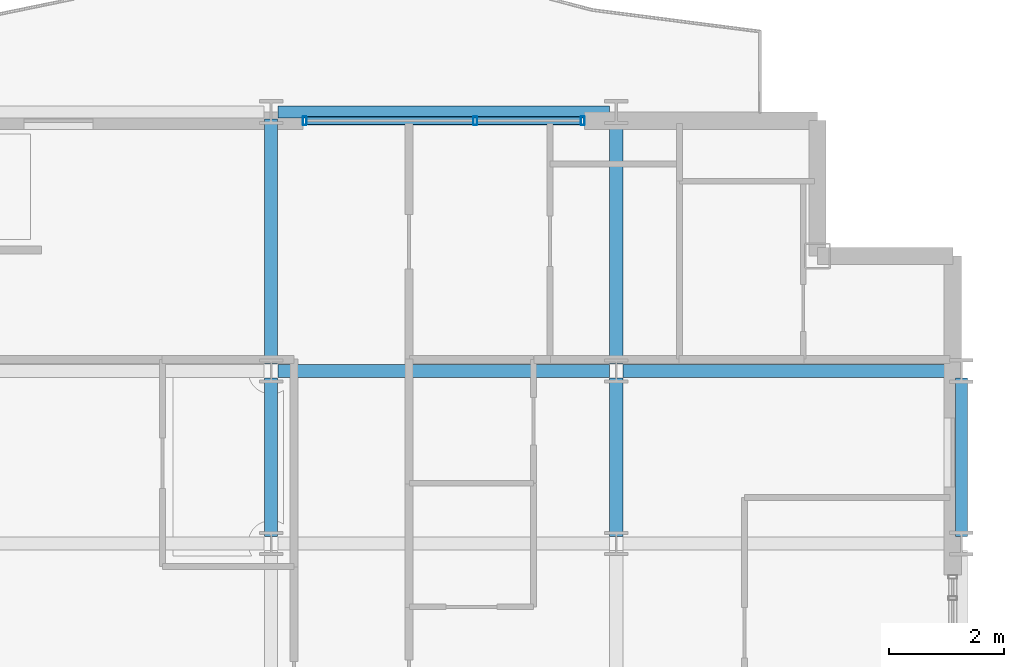
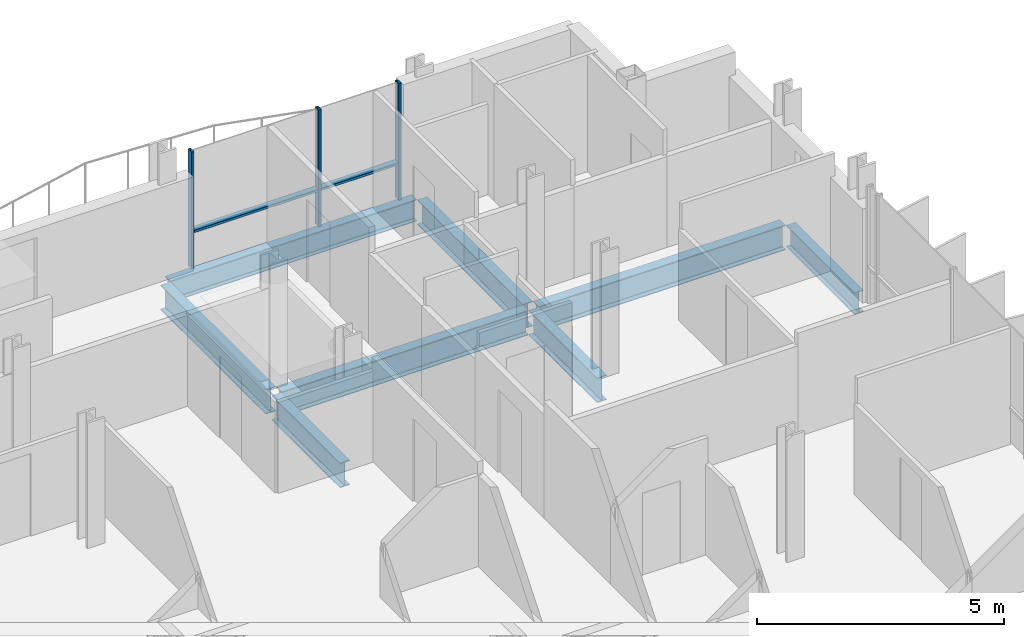
# One storey, part 20 of 39: 8 beams, 5 members, 1 element without a shape of its own.
"""IFC4 building model written with IfcOpenShell, lengths in metres."""

from ifc_helpers import new_model, si_unit, direction, frame, origin, origin_2d, place, context, subcontext, project, spatial, hollow_rectangle, i_section, extrude, material, layer, layer_set, material_profile, profile_set, type_object, element, aggregate, save


model = new_model("IFC4")

# Units and contexts
model_context = context("Model", 3, precision=1e-05, world=origin(), true_north=direction((0.0, 1.0)))
body_context = subcontext(model_context, "Body", "Model", "MODEL_VIEW")
ifc_project = project(units=[si_unit("LENGTHUNIT", "METRE"), si_unit("AREAUNIT", "SQUARE_METRE"), si_unit("VOLUMEUNIT", "CUBIC_METRE"), si_unit("PLANEANGLEUNIT", "RADIAN"), si_unit("MASSUNIT", "GRAM", prefix="KILO")], contexts=[model_context])

# Site, building, storey
site_placement = place(None, origin())
site = spatial("IfcSite", under=ifc_project, at=site_placement, CompositionType="ELEMENT")
building_placement = place(site_placement, origin())
building = spatial("IfcBuilding", under=site, at=building_placement, Name="Brevholm Reach", CompositionType="ELEMENT")
storey_placement = place(building_placement, frame((0.0, 0.0, 109.699951171875)))
storey = spatial("IfcBuildingStorey", under=building, at=storey_placement, Name="L32", CompositionType="ELEMENT", Elevation=109.699951171875)

# Beams
ifc_material_1 = material(Name="Structural Steel S355J2", Category="steel")
ifc_material_profile_1 = material_profile(ifc_material_1, i_section(OverallWidth=0.209228515625, OverallDepth=0.533203125, WebThickness=0.010009765625, FlangeThickness=0.015625, FilletRadius=0.0126953125, at=origin_2d()), Name="UKB 533x210x92")
ifc_profile_set_1 = profile_set([ifc_material_profile_1], Name="Structural Steel S355J2")
beam_type_1 = type_object("IfcBeamType", Name="BM-SP533", PredefinedType="SPANDREL", material=ifc_profile_set_1)
beam_1_placement = place(storey_placement, frame((48.1201171875, 31.0, -0.486572265625), z_axis=(1.0, 0.0, 0.0), x_axis=(0.0, 1.0, 0.0)))
element("IfcBeam", 1, at=beam_1_placement, inside=storey, type_object=beam_type_1, Name="L32 SP-02 Framing Beam", PredefinedType="SPANDREL", context=body_context, shape_type="SweptSolid", body=[
    extrude(i_section(OverallWidth=0.209228515625, OverallDepth=0.533203125, WebThickness=0.010009765625, FlangeThickness=0.015625, FilletRadius=0.0126953125, at=origin_2d()), origin(), (0.0, 0.0, 1.0), 5.759765625),
])
beam_2_placement = place(storey_placement, frame((60.0, 23.6201171875, -0.486572265625), z_axis=(0.0, 1.0, 0.0), x_axis=(-1.0, 0.0, 0.0)))
element("IfcBeam", 2, at=beam_2_placement, inside=storey, type_object=beam_type_1, Name="L32 SP-02 Framing Beam", PredefinedType="SPANDREL", context=body_context, shape_type="SweptSolid", body=[
    extrude(i_section(OverallWidth=0.209228515625, OverallDepth=0.533203125, WebThickness=0.010009765625, FlangeThickness=0.015625, FilletRadius=0.0126953125, at=origin_2d()), origin(), (0.0, 0.0, 1.0), 2.759765625),
])
ifc_material_2 = material(Name="Structural Steel S355J2", Category="steel")
ifc_material_profile_2 = material_profile(ifc_material_2, i_section(OverallWidth=0.22900390625, OverallDepth=0.6123046875, WebThickness=0.011962890625, FlangeThickness=0.01953125, FilletRadius=0.0126953125, at=origin_2d()), Name="UKB 610x229x125")
ifc_profile_set_2 = profile_set([ifc_material_profile_2], Name="Structural Steel S355J2")
beam_type_2 = type_object("IfcBeamType", Name="BM-SP610", PredefinedType="SPANDREL", material=ifc_profile_set_2)
for number, where, z_axis, x_axis, name in (
    (3, (48.1201171875, 26.5, -0.526123046875), (1.0, 0.0, 0.0), (0.0, 1.0, 0.0), "L32 SP-01 Framing Beam"),
    (4, (54.1201171875, 26.5, -0.526123046875), (1.0, 0.0, 0.0), (0.0, 1.0, 0.0), "L32 SP-01 Framing Beam"),
):
    element("IfcBeam", number, at=place(storey_placement, frame(where, z_axis=z_axis, x_axis=x_axis)), inside=storey, type_object=beam_type_2, Name=name, PredefinedType="SPANDREL", context=body_context, shape_type="SweptSolid", body=[
        extrude(i_section(OverallWidth=0.22900390625, OverallDepth=0.6123046875, WebThickness=0.011962890625, FlangeThickness=0.01953125, FilletRadius=0.0126953125, at=origin_2d()), origin(), (0.0, 0.0, 1.0), 5.759765625),
    ])
beam_3_placement = place(storey_placement, frame((48.0, 23.6201171875, -0.526123046875), z_axis=(0.0, 1.0, 0.0), x_axis=(-1.0, 0.0, 0.0)))
element("IfcBeam", 5, at=beam_3_placement, inside=storey, type_object=beam_type_2, Name="L32 SP-01 Framing Beam", PredefinedType="SPANDREL", context=body_context, shape_type="SweptSolid", body=[
    extrude(i_section(OverallWidth=0.22900390625, OverallDepth=0.6123046875, WebThickness=0.011962890625, FlangeThickness=0.01953125, FilletRadius=0.0126953125, at=origin_2d()), origin(), (0.0, 0.0, 1.0), 2.759765625),
])
beam_4_placement = place(storey_placement, frame((48.0, 26.6201171875, -0.526123046875), z_axis=(0.0, 1.0, 0.0), x_axis=(-1.0, 0.0, 0.0)))
element("IfcBeam", 6, at=beam_4_placement, inside=storey, type_object=beam_type_2, Name="L32 SP-01 Framing Beam", PredefinedType="SPANDREL", context=body_context, shape_type="SweptSolid", body=[
    extrude(i_section(OverallWidth=0.22900390625, OverallDepth=0.6123046875, WebThickness=0.011962890625, FlangeThickness=0.01953125, FilletRadius=0.0126953125, at=origin_2d()), origin(), (0.0, 0.0, 1.0), 4.259765625),
])
beam_5_placement = place(storey_placement, frame((54.0, 23.6201171875, -0.526123046875), z_axis=(0.0, 1.0, 0.0), x_axis=(-1.0, 0.0, 0.0)))
element("IfcBeam", 7, at=beam_5_placement, inside=storey, type_object=beam_type_2, Name="L32 SP-01 Framing Beam", PredefinedType="SPANDREL", context=body_context, shape_type="SweptSolid", body=[
    extrude(i_section(OverallWidth=0.22900390625, OverallDepth=0.6123046875, WebThickness=0.011962890625, FlangeThickness=0.01953125, FilletRadius=0.0126953125, at=origin_2d()), origin(), (0.0, 0.0, 1.0), 2.759765625),
])
beam_6_placement = place(storey_placement, frame((54.0, 26.6201171875, -0.526123046875), z_axis=(0.0, 1.0, 0.0), x_axis=(-1.0, 0.0, 0.0)))
element("IfcBeam", 8, at=beam_6_placement, inside=storey, type_object=beam_type_2, Name="L32 SP-01 Framing Beam", PredefinedType="SPANDREL", context=body_context, shape_type="SweptSolid", body=[
    extrude(i_section(OverallWidth=0.22900390625, OverallDepth=0.6123046875, WebThickness=0.011962890625, FlangeThickness=0.01953125, FilletRadius=0.0126953125, at=origin_2d()), origin(), (0.0, 0.0, 1.0), 4.259765625),
])

# Curtain wall, members
ifc_material_3 = material(Name="Dark Anodised Aluminium 6063-T6 and Solar-Control Glass", Category="aluminium")
ifc_layer = layer(ifc_material_3, 0.14990234375)
ifc_layer_set = layer_set([ifc_layer], Name="Dark Anodised Aluminium 6063-T6 and Solar-Control Glass")
curtain_wall_type = type_object("IfcCurtainWallType", Name="CW-01", PredefinedType="NOTDEFINED", material=ifc_layer_set)
curtain_wall_placement = place(storey_placement, origin())
curtain_wall = element("IfcCurtainWall", 9, at=curtain_wall_placement, inside=storey, type_object=curtain_wall_type, Name="L32 Curtain Wall CW-01", PredefinedType="NOTDEFINED")
ifc_material_4 = material(Name="Dark Anodised Aluminium 6063-T6", Category="aluminium")
ifc_material_profile_3 = material_profile(ifc_material_4, hollow_rectangle(XDim=0.06494140625, YDim=0.14990234375, WallThickness=0.0048828125, InnerFilletRadius=0.0048828125, OuterFilletRadius=0.010009765625, at=origin_2d()), Name="RHS 150x65x5")
ifc_profile_set_3 = profile_set([ifc_material_profile_3], Name="Dark Anodised Aluminium 6063-T6")
member_type_1 = type_object("IfcMemberType", Name="CWM-150", PredefinedType="MULLION", material=ifc_profile_set_3)
member_1_placement = place(storey_placement, frame((48.58251953125, 30.85009765625, 0.0), z_axis=(0.0, 0.0, 1.0), x_axis=(1.0, 0.0, 0.0)))
member_1 = element("IfcMember", 10, at=member_1_placement, type_object=member_type_1, Name="CM-150 Mullion 1", PredefinedType="MULLION", context=body_context, shape_type="SweptSolid", body=[
    extrude(hollow_rectangle(XDim=0.06494140625, YDim=0.14990234375, WallThickness=0.0048828125, InnerFilletRadius=0.0048828125, OuterFilletRadius=0.010009765625, at=origin_2d()), origin(), (0.0, 0.0, 1.0), 2.880126953125),
])
member_2_placement = place(storey_placement, frame((51.550048828125, 30.85009765625, 0.0), z_axis=(0.0, 0.0, 1.0), x_axis=(1.0, 0.0, 0.0)))
member_2 = element("IfcMember", 11, at=member_2_placement, type_object=member_type_1, Name="CM-150 Mullion 2", PredefinedType="MULLION", context=body_context, shape_type="SweptSolid", body=[
    extrude(hollow_rectangle(XDim=0.06494140625, YDim=0.14990234375, WallThickness=0.0048828125, InnerFilletRadius=0.0048828125, OuterFilletRadius=0.010009765625, at=origin_2d()), origin(), (0.0, 0.0, 1.0), 2.880126953125),
])
member_3_placement = place(storey_placement, frame((53.41748046875, 30.85009765625, 0.0), z_axis=(0.0, 0.0, 1.0), x_axis=(1.0, 0.0, 0.0)))
member_3 = element("IfcMember", 12, at=member_3_placement, type_object=member_type_1, Name="CM-150 Mullion 3", PredefinedType="MULLION", context=body_context, shape_type="SweptSolid", body=[
    extrude(hollow_rectangle(XDim=0.06494140625, YDim=0.14990234375, WallThickness=0.0048828125, InnerFilletRadius=0.0048828125, OuterFilletRadius=0.010009765625, at=origin_2d()), origin(), (0.0, 0.0, 1.0), 2.880126953125),
])
ifc_material_5 = material(Name="Dark Anodised Aluminium 6063-T6", Category="aluminium")
ifc_material_profile_4 = material_profile(ifc_material_5, hollow_rectangle(XDim=0.06494140625, YDim=0.14990234375, WallThickness=0.0048828125, InnerFilletRadius=0.0048828125, OuterFilletRadius=0.010009765625, at=origin_2d()), Name="RHS 150x65x5")
ifc_profile_set_4 = profile_set([ifc_material_profile_4], Name="Dark Anodised Aluminium 6063-T6")
member_type_2 = type_object("IfcMemberType", Name="CWT-150", PredefinedType="NOTDEFINED", material=ifc_profile_set_4)
member_4_placement = place(storey_placement, frame((48.614990234375, 30.85009765625, 0.900146484375), z_axis=(1.0, 0.0, 0.0), x_axis=(0.0, 0.0, 1.0)))
member_4 = element("IfcMember", 13, at=member_4_placement, type_object=member_type_2, Name="CT-150 Transom 1.1", ObjectType="TRANSOM", PredefinedType="USERDEFINED", context=body_context, shape_type="SweptSolid", body=[
    extrude(hollow_rectangle(XDim=0.06494140625, YDim=0.14990234375, WallThickness=0.0048828125, InnerFilletRadius=0.0048828125, OuterFilletRadius=0.010009765625, at=origin_2d()), origin(), (0.0, 0.0, 1.0), 2.902587890625),
])
member_5_placement = place(storey_placement, frame((51.58251953125, 30.85009765625, 0.900146484375), z_axis=(1.0, 0.0, 0.0), x_axis=(0.0, 0.0, 1.0)))
member_5 = element("IfcMember", 14, at=member_5_placement, type_object=member_type_2, Name="CT-150 Transom 2.1", ObjectType="TRANSOM", PredefinedType="USERDEFINED", context=body_context, shape_type="SweptSolid", body=[
    extrude(hollow_rectangle(XDim=0.06494140625, YDim=0.14990234375, WallThickness=0.0048828125, InnerFilletRadius=0.0048828125, OuterFilletRadius=0.010009765625, at=origin_2d()), origin(), (0.0, 0.0, 1.0), 1.802490234375),
])
aggregate(curtain_wall, [member_1, member_2, member_3, member_4, member_5])

save(model, "model.ifc")
